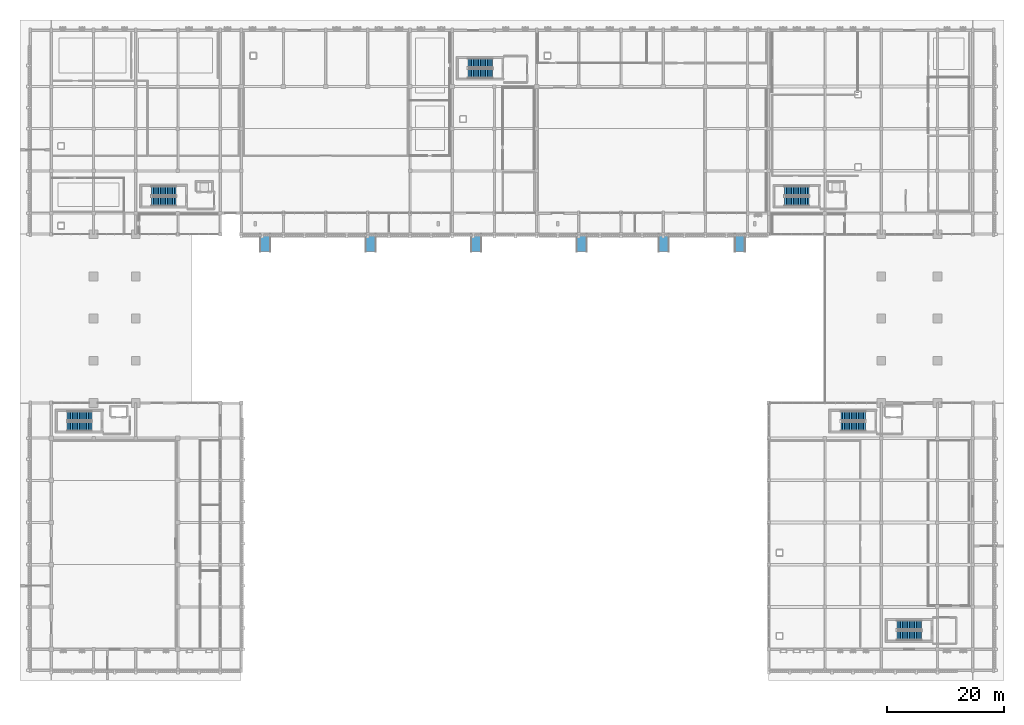
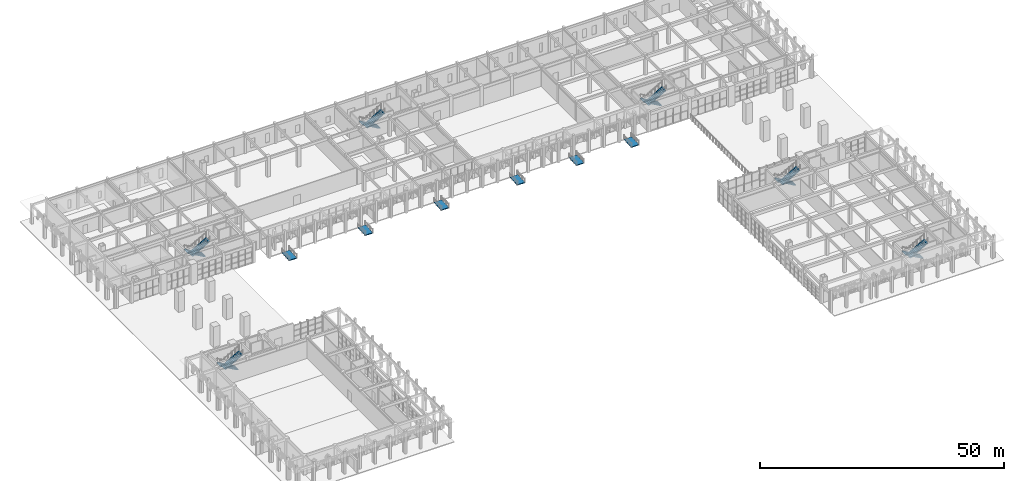
# One storey, part 45 of 72: 12 stair flights, 6 ramp flights, 12 elements without a shape of their own.
"""IFC4 building model written with IfcOpenShell, lengths in metres."""

from ifc_helpers import new_model, si_unit, direction, frame, origin, place, context, subcontext, project, spatial, polyline, outline, extrude, material, layer, layer_set, type_object, element, aggregate, save


model = new_model("IFC4")

# Units and contexts
model_context = context("Model", 3, precision=1e-05, world=origin(), true_north=direction((0.0, 1.0)))
body_context = subcontext(model_context, "Body", "Model", "MODEL_VIEW")
ifc_project = project(units=[si_unit("LENGTHUNIT", "METRE"), si_unit("AREAUNIT", "SQUARE_METRE"), si_unit("VOLUMEUNIT", "CUBIC_METRE"), si_unit("PLANEANGLEUNIT", "RADIAN"), si_unit("MASSUNIT", "GRAM", prefix="KILO")], contexts=[model_context])

# Site, building, storey
site_placement = place(None, origin())
site = spatial("IfcSite", under=ifc_project, at=site_placement, CompositionType="ELEMENT")
building_placement = place(site_placement, origin())
building = spatial("IfcBuilding", under=site, at=building_placement, Name="Nzembalo Square Collegiate School", CompositionType="ELEMENT")
storey_placement = place(building_placement, origin())
storey = spatial("IfcBuildingStorey", under=building, at=storey_placement, Name="L00", CompositionType="ELEMENT", Elevation=0.0)

# Stair, stair flights
ifc_material_1 = material(Name="Precast concrete C40/50", Category="concrete")
stair_type = type_object("IfcStairType", Name="ST-30R", PredefinedType="HALF_TURN_STAIR", material=ifc_material_1)
stair_1_placement = place(storey_placement, origin())
stair_1 = element("IfcStair", 1, at=stair_1_placement, inside=storey, type_object=stair_type, Name="Escape stair ST-02 (C1 L00)", PredefinedType="HALF_TURN_STAIR")
ifc_material_2 = material(Name="Precast concrete C40/50", Category="concrete")
stair_flight_type = type_object("IfcStairFlightType", Name="FL-15R", PredefinedType="STRAIGHT", material=ifc_material_2)
stair_flight_1_placement = place(storey_placement, frame((15.300048828125, 48.199951171875, 0.0), z_axis=(0.0, 0.0, 1.0), x_axis=(-1.0, 0.0, 0.0)))
stair_flight_1 = element("IfcStairFlight", 2, at=stair_flight_1_placement, type_object=stair_flight_type, Name="ST-02 flight 1", NumberOfRisers=15, NumberOfTreads=14, PredefinedType="STRAIGHT", RiserHeight=0.17, TreadLength=0.3, context=body_context, shape_type="SweptSolid", body=[
    extrude(outline(polyline([(0.0, 0.0), (0.0, 0.169921875), (0.300048828125, 0.169921875), (0.300048828125, 0.340087890625), (0.60009765625, 0.340087890625), (0.60009765625, 0.510009765625), (0.89990234375, 0.510009765625), (0.89990234375, 0.679931640625), (1.199951171875, 0.679931640625), (1.199951171875, 0.85009765625), (1.5, 0.85009765625), (1.5, 1.02001953125), (1.800048828125, 1.02001953125), (1.800048828125, 1.18994140625), (2.10009765625, 1.18994140625), (2.10009765625, 1.360107421875), (2.39990234375, 1.360107421875), (2.39990234375, 1.530029296875), (2.699951171875, 1.530029296875), (2.699951171875, 1.699951171875), (3.0, 1.699951171875), (3.0, 1.8701171875), (3.300048828125, 1.8701171875), (3.300048828125, 2.0400390625), (3.60009765625, 2.0400390625), (3.60009765625, 2.2099609375), (3.89990234375, 2.2099609375), (3.89990234375, 2.3798828125), (4.199951171875, 2.3798828125), (4.199951171875, 2.550048828125), (4.199951171875, 2.1962890625), (0.324462890625, 0.0), (0.0, 0.0)])), frame((0.0, 0.800048828125, 0.0), z_axis=(0.0, -1.0, 0.0), x_axis=(1.0, 0.0, 0.0)), (0.0, 0.0, 1.0), 1.60009765625),
])
stair_flight_2_placement = place(storey_placement, frame((11.10009765625, 46.39990234375, 2.550048828125), z_axis=(0.0, 0.0, 1.0), x_axis=(1.0, 0.0, 0.0)))
stair_flight_2 = element("IfcStairFlight", 3, at=stair_flight_2_placement, type_object=stair_flight_type, Name="ST-02 flight 2", NumberOfRisers=15, NumberOfTreads=14, PredefinedType="STRAIGHT", RiserHeight=0.17, TreadLength=0.3, context=body_context, shape_type="SweptSolid", body=[
    extrude(outline(polyline([(0.0, 0.0), (0.0, 0.169921875), (0.300048828125, 0.169921875), (0.300048828125, 0.340087890625), (0.60009765625, 0.340087890625), (0.60009765625, 0.510009765625), (0.89990234375, 0.510009765625), (0.89990234375, 0.679931640625), (1.199951171875, 0.679931640625), (1.199951171875, 0.85009765625), (1.5, 0.85009765625), (1.5, 1.02001953125), (1.800048828125, 1.02001953125), (1.800048828125, 1.18994140625), (2.10009765625, 1.18994140625), (2.10009765625, 1.360107421875), (2.39990234375, 1.360107421875), (2.39990234375, 1.530029296875), (2.699951171875, 1.530029296875), (2.699951171875, 1.699951171875), (3.0, 1.699951171875), (3.0, 1.8701171875), (3.300048828125, 1.8701171875), (3.300048828125, 2.0400390625), (3.60009765625, 2.0400390625), (3.60009765625, 2.2099609375), (3.89990234375, 2.2099609375), (3.89990234375, 2.3798828125), (4.199951171875, 2.3798828125), (4.199951171875, 2.550048828125), (4.199951171875, 2.1962890625), (0.324462890625, 0.0), (0.0, 0.0)])), frame((0.0, 0.800048828125, 0.0), z_axis=(0.0, -1.0, 0.0), x_axis=(1.0, 0.0, 0.0)), (0.0, 0.0, 1.0), 1.60009765625),
])
aggregate(stair_1, [stair_flight_1, stair_flight_2])

stair_2_placement = place(storey_placement, origin())
stair_2 = element("IfcStair", 4, at=stair_2_placement, inside=storey, type_object=stair_type, Name="Escape stair ST-06 (C2 L00)", PredefinedType="HALF_TURN_STAIR")
stair_flight_3_placement = place(storey_placement, frame((29.699951171875, 86.60009765625, 0.0), z_axis=(0.0, 0.0, 1.0), x_axis=(-1.0, 0.0, 0.0)))
stair_flight_3 = element("IfcStairFlight", 5, at=stair_flight_3_placement, type_object=stair_flight_type, Name="ST-06 flight 1", NumberOfRisers=15, NumberOfTreads=14, PredefinedType="STRAIGHT", RiserHeight=0.17, TreadLength=0.3, context=body_context, shape_type="SweptSolid", body=[
    extrude(outline(polyline([(0.0, 0.0), (0.0, 0.169921875), (0.300048828125, 0.169921875), (0.300048828125, 0.340087890625), (0.60009765625, 0.340087890625), (0.60009765625, 0.510009765625), (0.89990234375, 0.510009765625), (0.89990234375, 0.679931640625), (1.199951171875, 0.679931640625), (1.199951171875, 0.85009765625), (1.5, 0.85009765625), (1.5, 1.02001953125), (1.800048828125, 1.02001953125), (1.800048828125, 1.18994140625), (2.10009765625, 1.18994140625), (2.10009765625, 1.360107421875), (2.39990234375, 1.360107421875), (2.39990234375, 1.530029296875), (2.699951171875, 1.530029296875), (2.699951171875, 1.699951171875), (3.0, 1.699951171875), (3.0, 1.8701171875), (3.300048828125, 1.8701171875), (3.300048828125, 2.0400390625), (3.60009765625, 2.0400390625), (3.60009765625, 2.2099609375), (3.89990234375, 2.2099609375), (3.89990234375, 2.3798828125), (4.199951171875, 2.3798828125), (4.199951171875, 2.550048828125), (4.199951171875, 2.1962890625), (0.324462890625, 0.0), (0.0, 0.0)])), frame((0.0, 0.800048828125, 0.0), z_axis=(0.0, -1.0, 0.0), x_axis=(1.0, 0.0, 0.0)), (0.0, 0.0, 1.0), 1.60009765625),
])
stair_flight_4_placement = place(storey_placement, frame((25.5, 84.800048828125, 2.550048828125), z_axis=(0.0, 0.0, 1.0), x_axis=(1.0, 0.0, 0.0)))
stair_flight_4 = element("IfcStairFlight", 6, at=stair_flight_4_placement, type_object=stair_flight_type, Name="ST-06 flight 2", NumberOfRisers=15, NumberOfTreads=14, PredefinedType="STRAIGHT", RiserHeight=0.17, TreadLength=0.3, context=body_context, shape_type="SweptSolid", body=[
    extrude(outline(polyline([(0.0, 0.0), (0.0, 0.169921875), (0.300048828125, 0.169921875), (0.300048828125, 0.340087890625), (0.60009765625, 0.340087890625), (0.60009765625, 0.510009765625), (0.89990234375, 0.510009765625), (0.89990234375, 0.679931640625), (1.199951171875, 0.679931640625), (1.199951171875, 0.85009765625), (1.5, 0.85009765625), (1.5, 1.02001953125), (1.800048828125, 1.02001953125), (1.800048828125, 1.18994140625), (2.10009765625, 1.18994140625), (2.10009765625, 1.360107421875), (2.39990234375, 1.360107421875), (2.39990234375, 1.530029296875), (2.699951171875, 1.530029296875), (2.699951171875, 1.699951171875), (3.0, 1.699951171875), (3.0, 1.8701171875), (3.300048828125, 1.8701171875), (3.300048828125, 2.0400390625), (3.60009765625, 2.0400390625), (3.60009765625, 2.2099609375), (3.89990234375, 2.2099609375), (3.89990234375, 2.3798828125), (4.199951171875, 2.3798828125), (4.199951171875, 2.550048828125), (4.199951171875, 2.1962890625), (0.324462890625, 0.0), (0.0, 0.0)])), frame((0.0, 0.800048828125, 0.0), z_axis=(0.0, -1.0, 0.0), x_axis=(1.0, 0.0, 0.0)), (0.0, 0.0, 1.0), 1.60009765625),
])
aggregate(stair_2, [stair_flight_3, stair_flight_4])

stair_3_placement = place(storey_placement, origin())
stair_3 = element("IfcStair", 7, at=stair_3_placement, inside=storey, type_object=stair_type, Name="Escape stair ST-10 (C3 L00)", PredefinedType="HALF_TURN_STAIR")
stair_flight_5_placement = place(storey_placement, frame((83.699951171875, 108.39990234375, 0.0), z_axis=(0.0, 0.0, 1.0), x_axis=(-1.0, 0.0, 0.0)))
stair_flight_5 = element("IfcStairFlight", 8, at=stair_flight_5_placement, type_object=stair_flight_type, Name="ST-10 flight 1", NumberOfRisers=15, NumberOfTreads=14, PredefinedType="STRAIGHT", RiserHeight=0.17, TreadLength=0.3, context=body_context, shape_type="SweptSolid", body=[
    extrude(outline(polyline([(0.0, 0.0), (0.0, 0.169921875), (0.300048828125, 0.169921875), (0.300048828125, 0.340087890625), (0.60009765625, 0.340087890625), (0.60009765625, 0.510009765625), (0.89990234375, 0.510009765625), (0.89990234375, 0.679931640625), (1.199951171875, 0.679931640625), (1.199951171875, 0.85009765625), (1.5, 0.85009765625), (1.5, 1.02001953125), (1.800048828125, 1.02001953125), (1.800048828125, 1.18994140625), (2.10009765625, 1.18994140625), (2.10009765625, 1.360107421875), (2.39990234375, 1.360107421875), (2.39990234375, 1.530029296875), (2.699951171875, 1.530029296875), (2.699951171875, 1.699951171875), (3.0, 1.699951171875), (3.0, 1.8701171875), (3.300048828125, 1.8701171875), (3.300048828125, 2.0400390625), (3.60009765625, 2.0400390625), (3.60009765625, 2.2099609375), (3.89990234375, 2.2099609375), (3.89990234375, 2.3798828125), (4.199951171875, 2.3798828125), (4.199951171875, 2.550048828125), (4.199951171875, 2.1962890625), (0.324462890625, 0.0), (0.0, 0.0)])), frame((0.0, 0.800048828125, 0.0), z_axis=(0.0, -1.0, 0.0), x_axis=(1.0, 0.0, 0.0)), (0.0, 0.0, 1.0), 1.60009765625),
])
stair_flight_6_placement = place(storey_placement, frame((79.5, 106.60009765625, 2.550048828125), z_axis=(0.0, 0.0, 1.0), x_axis=(1.0, 0.0, 0.0)))
stair_flight_6 = element("IfcStairFlight", 9, at=stair_flight_6_placement, type_object=stair_flight_type, Name="ST-10 flight 2", NumberOfRisers=15, NumberOfTreads=14, PredefinedType="STRAIGHT", RiserHeight=0.17, TreadLength=0.3, context=body_context, shape_type="SweptSolid", body=[
    extrude(outline(polyline([(0.0, 0.0), (0.0, 0.169921875), (0.300048828125, 0.169921875), (0.300048828125, 0.340087890625), (0.60009765625, 0.340087890625), (0.60009765625, 0.510009765625), (0.89990234375, 0.510009765625), (0.89990234375, 0.679931640625), (1.199951171875, 0.679931640625), (1.199951171875, 0.85009765625), (1.5, 0.85009765625), (1.5, 1.02001953125), (1.800048828125, 1.02001953125), (1.800048828125, 1.18994140625), (2.10009765625, 1.18994140625), (2.10009765625, 1.360107421875), (2.39990234375, 1.360107421875), (2.39990234375, 1.530029296875), (2.699951171875, 1.530029296875), (2.699951171875, 1.699951171875), (3.0, 1.699951171875), (3.0, 1.8701171875), (3.300048828125, 1.8701171875), (3.300048828125, 2.0400390625), (3.60009765625, 2.0400390625), (3.60009765625, 2.2099609375), (3.89990234375, 2.2099609375), (3.89990234375, 2.3798828125), (4.199951171875, 2.3798828125), (4.199951171875, 2.550048828125), (4.199951171875, 2.1962890625), (0.324462890625, 0.0), (0.0, 0.0)])), frame((0.0, 0.800048828125, 0.0), z_axis=(0.0, -1.0, 0.0), x_axis=(1.0, 0.0, 0.0)), (0.0, 0.0, 1.0), 1.60009765625),
])
aggregate(stair_3, [stair_flight_5, stair_flight_6])

stair_4_placement = place(storey_placement, origin())
stair_4 = element("IfcStair", 10, at=stair_4_placement, inside=storey, type_object=stair_type, Name="Escape stair ST-13 (C4 L00)", PredefinedType="HALF_TURN_STAIR")
stair_flight_7_placement = place(storey_placement, frame((137.699951171875, 86.60009765625, 0.0), z_axis=(0.0, 0.0, 1.0), x_axis=(-1.0, 0.0, 0.0)))
stair_flight_7 = element("IfcStairFlight", 11, at=stair_flight_7_placement, type_object=stair_flight_type, Name="ST-13 flight 1", NumberOfRisers=15, NumberOfTreads=14, PredefinedType="STRAIGHT", RiserHeight=0.17, TreadLength=0.3, context=body_context, shape_type="SweptSolid", body=[
    extrude(outline(polyline([(0.0, 0.0), (0.0, 0.169921875), (0.300048828125, 0.169921875), (0.300048828125, 0.340087890625), (0.60009765625, 0.340087890625), (0.60009765625, 0.510009765625), (0.89990234375, 0.510009765625), (0.89990234375, 0.679931640625), (1.199951171875, 0.679931640625), (1.199951171875, 0.85009765625), (1.5, 0.85009765625), (1.5, 1.02001953125), (1.800048828125, 1.02001953125), (1.800048828125, 1.18994140625), (2.10009765625, 1.18994140625), (2.10009765625, 1.360107421875), (2.39990234375, 1.360107421875), (2.39990234375, 1.530029296875), (2.699951171875, 1.530029296875), (2.699951171875, 1.699951171875), (3.0, 1.699951171875), (3.0, 1.8701171875), (3.300048828125, 1.8701171875), (3.300048828125, 2.0400390625), (3.60009765625, 2.0400390625), (3.60009765625, 2.2099609375), (3.89990234375, 2.2099609375), (3.89990234375, 2.3798828125), (4.199951171875, 2.3798828125), (4.199951171875, 2.550048828125), (4.199951171875, 2.1962890625), (0.324462890625, 0.0), (0.0, 0.0)])), frame((0.0, 0.800048828125, 0.0), z_axis=(0.0, -1.0, 0.0), x_axis=(1.0, 0.0, 0.0)), (0.0, 0.0, 1.0), 1.60009765625),
])
stair_flight_8_placement = place(storey_placement, frame((133.5, 84.800048828125, 2.550048828125), z_axis=(0.0, 0.0, 1.0), x_axis=(1.0, 0.0, 0.0)))
stair_flight_8 = element("IfcStairFlight", 12, at=stair_flight_8_placement, type_object=stair_flight_type, Name="ST-13 flight 2", NumberOfRisers=15, NumberOfTreads=14, PredefinedType="STRAIGHT", RiserHeight=0.17, TreadLength=0.3, context=body_context, shape_type="SweptSolid", body=[
    extrude(outline(polyline([(0.0, 0.0), (0.0, 0.169921875), (0.300048828125, 0.169921875), (0.300048828125, 0.340087890625), (0.60009765625, 0.340087890625), (0.60009765625, 0.510009765625), (0.89990234375, 0.510009765625), (0.89990234375, 0.679931640625), (1.199951171875, 0.679931640625), (1.199951171875, 0.85009765625), (1.5, 0.85009765625), (1.5, 1.02001953125), (1.800048828125, 1.02001953125), (1.800048828125, 1.18994140625), (2.10009765625, 1.18994140625), (2.10009765625, 1.360107421875), (2.39990234375, 1.360107421875), (2.39990234375, 1.530029296875), (2.699951171875, 1.530029296875), (2.699951171875, 1.699951171875), (3.0, 1.699951171875), (3.0, 1.8701171875), (3.300048828125, 1.8701171875), (3.300048828125, 2.0400390625), (3.60009765625, 2.0400390625), (3.60009765625, 2.2099609375), (3.89990234375, 2.2099609375), (3.89990234375, 2.3798828125), (4.199951171875, 2.3798828125), (4.199951171875, 2.550048828125), (4.199951171875, 2.1962890625), (0.324462890625, 0.0), (0.0, 0.0)])), frame((0.0, 0.800048828125, 0.0), z_axis=(0.0, -1.0, 0.0), x_axis=(1.0, 0.0, 0.0)), (0.0, 0.0, 1.0), 1.60009765625),
])
aggregate(stair_4, [stair_flight_7, stair_flight_8])

stair_5_placement = place(storey_placement, origin())
stair_5 = element("IfcStair", 13, at=stair_5_placement, inside=storey, type_object=stair_type, Name="Escape stair ST-19 (C5 L00)", PredefinedType="HALF_TURN_STAIR")
stair_flight_9_placement = place(storey_placement, frame((147.300048828125, 48.199951171875, 0.0), z_axis=(0.0, 0.0, 1.0), x_axis=(-1.0, 0.0, 0.0)))
stair_flight_9 = element("IfcStairFlight", 14, at=stair_flight_9_placement, type_object=stair_flight_type, Name="ST-19 flight 1", NumberOfRisers=15, NumberOfTreads=14, PredefinedType="STRAIGHT", RiserHeight=0.17, TreadLength=0.3, context=body_context, shape_type="SweptSolid", body=[
    extrude(outline(polyline([(0.0, 0.0), (0.0, 0.169921875), (0.300048828125, 0.169921875), (0.300048828125, 0.340087890625), (0.60009765625, 0.340087890625), (0.60009765625, 0.510009765625), (0.89990234375, 0.510009765625), (0.89990234375, 0.679931640625), (1.199951171875, 0.679931640625), (1.199951171875, 0.85009765625), (1.5, 0.85009765625), (1.5, 1.02001953125), (1.800048828125, 1.02001953125), (1.800048828125, 1.18994140625), (2.10009765625, 1.18994140625), (2.10009765625, 1.360107421875), (2.39990234375, 1.360107421875), (2.39990234375, 1.530029296875), (2.699951171875, 1.530029296875), (2.699951171875, 1.699951171875), (3.0, 1.699951171875), (3.0, 1.8701171875), (3.300048828125, 1.8701171875), (3.300048828125, 2.0400390625), (3.60009765625, 2.0400390625), (3.60009765625, 2.2099609375), (3.89990234375, 2.2099609375), (3.89990234375, 2.3798828125), (4.199951171875, 2.3798828125), (4.199951171875, 2.550048828125), (4.199951171875, 2.1962890625), (0.324462890625, 0.0), (0.0, 0.0)])), frame((0.0, 0.800048828125, 0.0), z_axis=(0.0, -1.0, 0.0), x_axis=(1.0, 0.0, 0.0)), (0.0, 0.0, 1.0), 1.60009765625),
])
stair_flight_10_placement = place(storey_placement, frame((143.10009765625, 46.39990234375, 2.550048828125), z_axis=(0.0, 0.0, 1.0), x_axis=(1.0, 0.0, 0.0)))
stair_flight_10 = element("IfcStairFlight", 15, at=stair_flight_10_placement, type_object=stair_flight_type, Name="ST-19 flight 2", NumberOfRisers=15, NumberOfTreads=14, PredefinedType="STRAIGHT", RiserHeight=0.17, TreadLength=0.3, context=body_context, shape_type="SweptSolid", body=[
    extrude(outline(polyline([(0.0, 0.0), (0.0, 0.169921875), (0.300048828125, 0.169921875), (0.300048828125, 0.340087890625), (0.60009765625, 0.340087890625), (0.60009765625, 0.510009765625), (0.89990234375, 0.510009765625), (0.89990234375, 0.679931640625), (1.199951171875, 0.679931640625), (1.199951171875, 0.85009765625), (1.5, 0.85009765625), (1.5, 1.02001953125), (1.800048828125, 1.02001953125), (1.800048828125, 1.18994140625), (2.10009765625, 1.18994140625), (2.10009765625, 1.360107421875), (2.39990234375, 1.360107421875), (2.39990234375, 1.530029296875), (2.699951171875, 1.530029296875), (2.699951171875, 1.699951171875), (3.0, 1.699951171875), (3.0, 1.8701171875), (3.300048828125, 1.8701171875), (3.300048828125, 2.0400390625), (3.60009765625, 2.0400390625), (3.60009765625, 2.2099609375), (3.89990234375, 2.2099609375), (3.89990234375, 2.3798828125), (4.199951171875, 2.3798828125), (4.199951171875, 2.550048828125), (4.199951171875, 2.1962890625), (0.324462890625, 0.0), (0.0, 0.0)])), frame((0.0, 0.800048828125, 0.0), z_axis=(0.0, -1.0, 0.0), x_axis=(1.0, 0.0, 0.0)), (0.0, 0.0, 1.0), 1.60009765625),
])
aggregate(stair_5, [stair_flight_9, stair_flight_10])

stair_6_placement = place(storey_placement, origin())
stair_6 = element("IfcStair", 16, at=stair_6_placement, inside=storey, type_object=stair_type, Name="Escape stair ST-24 (C6 L00)", PredefinedType="HALF_TURN_STAIR")
stair_flight_11_placement = place(storey_placement, frame((156.89990234375, 12.5, 0.0), z_axis=(0.0, 0.0, 1.0), x_axis=(-1.0, 0.0, 0.0)))
stair_flight_11 = element("IfcStairFlight", 17, at=stair_flight_11_placement, type_object=stair_flight_type, Name="ST-24 flight 1", NumberOfRisers=15, NumberOfTreads=14, PredefinedType="STRAIGHT", RiserHeight=0.17, TreadLength=0.3, context=body_context, shape_type="SweptSolid", body=[
    extrude(outline(polyline([(0.0, 0.0), (0.0, 0.169921875), (0.300048828125, 0.169921875), (0.300048828125, 0.340087890625), (0.60009765625, 0.340087890625), (0.60009765625, 0.510009765625), (0.89990234375, 0.510009765625), (0.89990234375, 0.679931640625), (1.199951171875, 0.679931640625), (1.199951171875, 0.85009765625), (1.5, 0.85009765625), (1.5, 1.02001953125), (1.800048828125, 1.02001953125), (1.800048828125, 1.18994140625), (2.10009765625, 1.18994140625), (2.10009765625, 1.360107421875), (2.39990234375, 1.360107421875), (2.39990234375, 1.530029296875), (2.699951171875, 1.530029296875), (2.699951171875, 1.699951171875), (3.0, 1.699951171875), (3.0, 1.8701171875), (3.300048828125, 1.8701171875), (3.300048828125, 2.0400390625), (3.60009765625, 2.0400390625), (3.60009765625, 2.2099609375), (3.89990234375, 2.2099609375), (3.89990234375, 2.3798828125), (4.199951171875, 2.3798828125), (4.199951171875, 2.550048828125), (4.199951171875, 2.1962890625), (0.324462890625, 0.0), (0.0, 0.0)])), frame((0.0, 0.800048828125, 0.0), z_axis=(0.0, -1.0, 0.0), x_axis=(1.0, 0.0, 0.0)), (0.0, 0.0, 1.0), 1.60009765625),
])
stair_flight_12_placement = place(storey_placement, frame((152.699951171875, 10.699951171875, 2.550048828125), z_axis=(0.0, 0.0, 1.0), x_axis=(1.0, 0.0, 0.0)))
stair_flight_12 = element("IfcStairFlight", 18, at=stair_flight_12_placement, type_object=stair_flight_type, Name="ST-24 flight 2", NumberOfRisers=15, NumberOfTreads=14, PredefinedType="STRAIGHT", RiserHeight=0.17, TreadLength=0.3, context=body_context, shape_type="SweptSolid", body=[
    extrude(outline(polyline([(0.0, 0.0), (0.0, 0.169921875), (0.300048828125, 0.169921875), (0.300048828125, 0.340087890625), (0.60009765625, 0.340087890625), (0.60009765625, 0.510009765625), (0.89990234375, 0.510009765625), (0.89990234375, 0.679931640625), (1.199951171875, 0.679931640625), (1.199951171875, 0.85009765625), (1.5, 0.85009765625), (1.5, 1.02001953125), (1.800048828125, 1.02001953125), (1.800048828125, 1.18994140625), (2.10009765625, 1.18994140625), (2.10009765625, 1.360107421875), (2.39990234375, 1.360107421875), (2.39990234375, 1.530029296875), (2.699951171875, 1.530029296875), (2.699951171875, 1.699951171875), (3.0, 1.699951171875), (3.0, 1.8701171875), (3.300048828125, 1.8701171875), (3.300048828125, 2.0400390625), (3.60009765625, 2.0400390625), (3.60009765625, 2.2099609375), (3.89990234375, 2.2099609375), (3.89990234375, 2.3798828125), (4.199951171875, 2.3798828125), (4.199951171875, 2.550048828125), (4.199951171875, 2.1962890625), (0.324462890625, 0.0), (0.0, 0.0)])), frame((0.0, 0.800048828125, 0.0), z_axis=(0.0, -1.0, 0.0), x_axis=(1.0, 0.0, 0.0)), (0.0, 0.0, 1.0), 1.60009765625),
])
aggregate(stair_6, [stair_flight_11, stair_flight_12])

# Ramp, ramp flight
ifc_material_3 = material(Name="Concrete C35/45", Category="concrete")
ramp_type = type_object("IfcRampType", Name="RP01", PredefinedType="STRAIGHT_RUN_RAMP", material=ifc_material_3)
ramp_1_placement = place(storey_placement, origin())
ramp_1 = element("IfcRamp", 19, at=ramp_1_placement, inside=storey, type_object=ramp_type, Name="Accessible entrance ramp RP-01", PredefinedType="STRAIGHT_RUN_RAMP")
ifc_material_4 = material(Name="Concrete C35/45", Category="concrete")
ifc_layer = layer(ifc_material_4, 0.179931640625, Name="Concrete C35/45")
ifc_layer_set = layer_set([ifc_layer], Name="Concrete C35/45")
ramp_flight_type = type_object("IfcRampFlightType", Name="RPF01", PredefinedType="STRAIGHT", material=ifc_layer_set)
ramp_flight_1_placement = place(storey_placement, frame((44.0, 76.25, -0.14990234375), z_axis=(0.0, -0.049905186472, 0.998753959874), x_axis=(1.0, 0.0, 0.0)))
ramp_flight_1 = element("IfcRampFlight", 20, at=ramp_flight_1_placement, type_object=ramp_flight_type, Name="Ramp flight RP-01-F1", PredefinedType="STRAIGHT", context=body_context, shape_type="SweptSolid", body=[
    extrude(outline(polyline([(0.0, 0.0), (1.800048828125, 0.0), (1.800048828125, 3.003742784038231), (0.0, 3.003742784038231), (0.0, 0.0)])), origin(), (0.0, 0.0, -1.0), 0.179931640625),
])
aggregate(ramp_1, [ramp_flight_1])

ramp_2_placement = place(storey_placement, origin())
ramp_2 = element("IfcRamp", 21, at=ramp_2_placement, inside=storey, type_object=ramp_type, Name="Accessible entrance ramp RP-02", PredefinedType="STRAIGHT_RUN_RAMP")
ramp_flight_2_placement = place(storey_placement, frame((62.0, 76.25, -0.14990234375), z_axis=(0.0, -0.049905186472, 0.998753959874), x_axis=(1.0, 0.0, 0.0)))
ramp_flight_2 = element("IfcRampFlight", 22, at=ramp_flight_2_placement, type_object=ramp_flight_type, Name="Ramp flight RP-02-F1", PredefinedType="STRAIGHT", context=body_context, shape_type="SweptSolid", body=[
    extrude(outline(polyline([(0.0, 0.0), (1.800048828125, 0.0), (1.800048828125, 3.003742784038231), (0.0, 3.003742784038231), (0.0, 0.0)])), origin(), (0.0, 0.0, -1.0), 0.179931640625),
])
aggregate(ramp_2, [ramp_flight_2])

ramp_3_placement = place(storey_placement, origin())
ramp_3 = element("IfcRamp", 23, at=ramp_3_placement, inside=storey, type_object=ramp_type, Name="Accessible entrance ramp RP-03", PredefinedType="STRAIGHT_RUN_RAMP")
ramp_flight_3_placement = place(storey_placement, frame((80.0, 76.25, -0.14990234375), z_axis=(0.0, -0.049905186472, 0.998753959874), x_axis=(1.0, 0.0, 0.0)))
ramp_flight_3 = element("IfcRampFlight", 24, at=ramp_flight_3_placement, type_object=ramp_flight_type, Name="Ramp flight RP-03-F1", PredefinedType="STRAIGHT", context=body_context, shape_type="SweptSolid", body=[
    extrude(outline(polyline([(0.0, 0.0), (1.800048828125, 0.0), (1.800048828125, 3.003742784038231), (0.0, 3.003742784038231), (0.0, 0.0)])), origin(), (0.0, 0.0, -1.0), 0.179931640625),
])
aggregate(ramp_3, [ramp_flight_3])

ramp_4_placement = place(storey_placement, origin())
ramp_4 = element("IfcRamp", 25, at=ramp_4_placement, inside=storey, type_object=ramp_type, Name="Accessible entrance ramp RP-04", PredefinedType="STRAIGHT_RUN_RAMP")
ramp_flight_4_placement = place(storey_placement, frame((98.0, 76.25, -0.14990234375), z_axis=(0.0, -0.049905186472, 0.998753959874), x_axis=(1.0, 0.0, 0.0)))
ramp_flight_4 = element("IfcRampFlight", 26, at=ramp_flight_4_placement, type_object=ramp_flight_type, Name="Ramp flight RP-04-F1", PredefinedType="STRAIGHT", context=body_context, shape_type="SweptSolid", body=[
    extrude(outline(polyline([(0.0, 0.0), (1.800048828125, 0.0), (1.800048828125, 3.003742784038231), (0.0, 3.003742784038231), (0.0, 0.0)])), origin(), (0.0, 0.0, -1.0), 0.179931640625),
])
aggregate(ramp_4, [ramp_flight_4])

ramp_5_placement = place(storey_placement, origin())
ramp_5 = element("IfcRamp", 27, at=ramp_5_placement, inside=storey, type_object=ramp_type, Name="Accessible entrance ramp RP-05", PredefinedType="STRAIGHT_RUN_RAMP")
ramp_flight_5_placement = place(storey_placement, frame((112.0, 76.25, -0.14990234375), z_axis=(0.0, -0.049905186472, 0.998753959874), x_axis=(1.0, 0.0, 0.0)))
ramp_flight_5 = element("IfcRampFlight", 28, at=ramp_flight_5_placement, type_object=ramp_flight_type, Name="Ramp flight RP-05-F1", PredefinedType="STRAIGHT", context=body_context, shape_type="SweptSolid", body=[
    extrude(outline(polyline([(0.0, 0.0), (1.800048828125, 0.0), (1.800048828125, 3.003742784038231), (0.0, 3.003742784038231), (0.0, 0.0)])), origin(), (0.0, 0.0, -1.0), 0.179931640625),
])
aggregate(ramp_5, [ramp_flight_5])

ramp_6_placement = place(storey_placement, origin())
ramp_6 = element("IfcRamp", 29, at=ramp_6_placement, inside=storey, type_object=ramp_type, Name="Accessible entrance ramp RP-06", PredefinedType="STRAIGHT_RUN_RAMP")
ramp_flight_6_placement = place(storey_placement, frame((125.0, 76.25, -0.14990234375), z_axis=(0.0, -0.049905186472, 0.998753959874), x_axis=(1.0, 0.0, 0.0)))
ramp_flight_6 = element("IfcRampFlight", 30, at=ramp_flight_6_placement, type_object=ramp_flight_type, Name="Ramp flight RP-06-F1", PredefinedType="STRAIGHT", context=body_context, shape_type="SweptSolid", body=[
    extrude(outline(polyline([(0.0, 0.0), (1.800048828125, 0.0), (1.800048828125, 3.003742784038231), (0.0, 3.003742784038231), (0.0, 0.0)])), origin(), (0.0, 0.0, -1.0), 0.179931640625),
])
aggregate(ramp_6, [ramp_flight_6])

save(model, "model.ifc")
